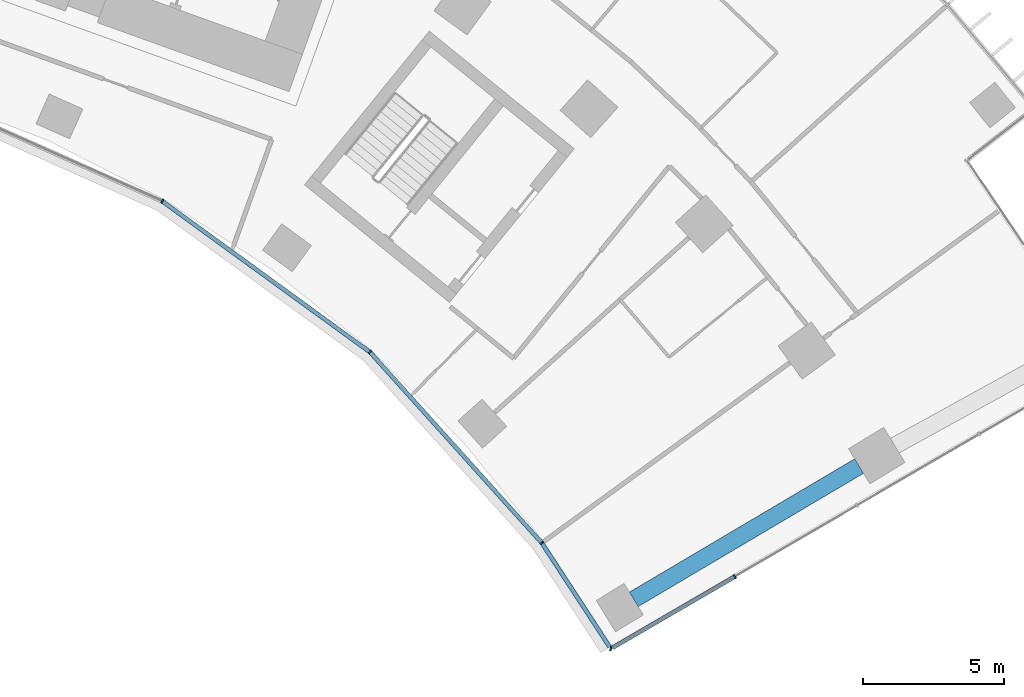
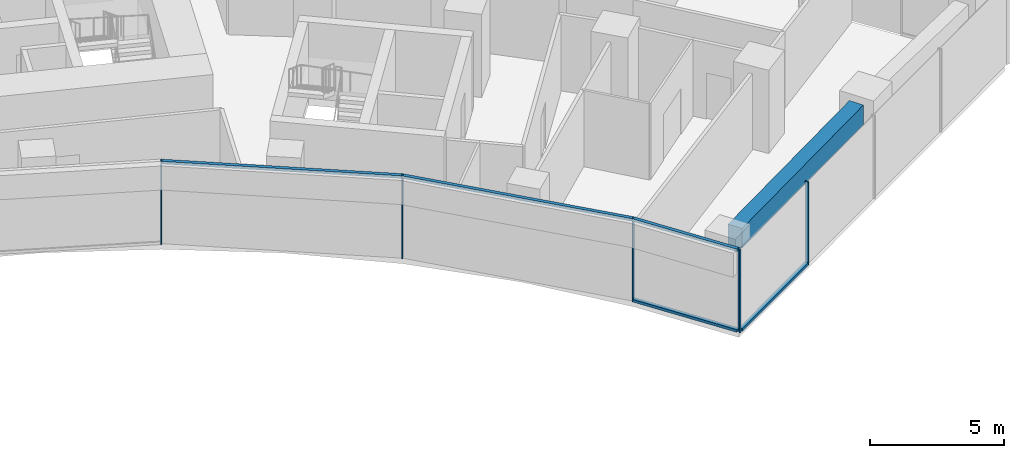
# One storey, part 9 of 23: 10 members, 1 beam, 2 elements without a shape of their own.
"""IFC4 building model written with IfcOpenShell, lengths in metres."""

from ifc_helpers import new_model, si_unit, direction, frame, origin, origin_2d, place, context, subcontext, project, spatial, rectangle, extrude, material, layer, layer_set, material_profile, profile_set, type_object, element, aggregate, save


model = new_model("IFC4")

# Units and contexts
model_context = context("Model", 3, precision=1e-05, world=origin(), true_north=direction((0.0, 1.0)))
body_context = subcontext(model_context, "Body", "Model", "MODEL_VIEW")
ifc_project = project(units=[si_unit("LENGTHUNIT", "METRE"), si_unit("AREAUNIT", "SQUARE_METRE"), si_unit("VOLUMEUNIT", "CUBIC_METRE"), si_unit("PLANEANGLEUNIT", "RADIAN"), si_unit("MASSUNIT", "GRAM", prefix="KILO")], contexts=[model_context])

# Site, building, storey
site_placement = place(None, origin())
site = spatial("IfcSite", under=ifc_project, at=site_placement, CompositionType="ELEMENT")
building_placement = place(site_placement, origin())
building = spatial("IfcBuilding", under=site, at=building_placement, Name="Stone Belt Terrace Tower", CompositionType="ELEMENT")
storey_placement = place(building_placement, frame((0.0, 0.0, 98.39990234375)))
storey = spatial("IfcBuildingStorey", under=building, at=storey_placement, Name="L23", CompositionType="ELEMENT", Elevation=98.39990234375)

# Curtain wall, members
ifc_material_1 = material(Name="Aluminium 6063-T6 anodised frame", Category="aluminium")
ifc_layer_1 = layer(ifc_material_1, 0.14990234375)
ifc_layer_set_1 = layer_set([ifc_layer_1], Name="CW-B unitised concave-face curtain wall")
curtain_wall_type_1 = type_object("IfcCurtainWallType", Name="CW-B unitised concave-face curtain wall", PredefinedType="NOTDEFINED", material=ifc_layer_set_1)
curtain_wall_1_placement = place(storey_placement, origin())
curtain_wall_1 = element("IfcCurtainWall", 1, at=curtain_wall_1_placement, inside=storey, type_object=curtain_wall_type_1, Name="CW-B concave face L23", PredefinedType="NOTDEFINED")
ifc_material_profile_1 = material_profile(ifc_material_1, rectangle(XDim=0.14990234375, YDim=0.050048828125, at=origin_2d()), Name="Aluminium 6063-T6 50x150")
ifc_profile_set_1 = profile_set([ifc_material_profile_1], Name="Aluminium 6063-T6 anodised frame")
member_type_1 = type_object("IfcMemberType", Name="CW-B mullion 50 x 150", PredefinedType="MULLION", material=ifc_profile_set_1)
member_1_placement = place(storey_placement, frame((21.71240234375, 37.606689453125, 0.0), z_axis=(0.0, 0.0, 1.0), x_axis=(0.5, 0.866025403784, 0.0)))
member_1 = element("IfcMember", 2, at=member_1_placement, type_object=member_type_1, Name="CW-B mullion 8", PredefinedType="MULLION", context=body_context, shape_type="SweptSolid", body=[
    extrude(rectangle(XDim=0.14990234375, YDim=0.050048828125, at=origin_2d()), origin(), (0.0, 0.0, 1.0), 3.800048828125),
])
member_2_placement = place(storey_placement, frame((29.056640625, 32.270751953125, 0.0), z_axis=(0.0, 0.0, 1.0), x_axis=(0.669130606359, 0.743144825477, 0.0)))
member_2 = element("IfcMember", 3, at=member_2_placement, type_object=member_type_1, Name="CW-B mullion 9", PredefinedType="MULLION", context=body_context, shape_type="SweptSolid", body=[
    extrude(rectangle(XDim=0.14990234375, YDim=0.050048828125, at=origin_2d()), origin(), (0.0, 0.0, 1.0), 3.800048828125),
])
member_3_placement = place(storey_placement, frame((35.132568359375, 25.522705078125, 0.0), z_axis=(0.0, 0.0, 1.0), x_axis=(0.792811047542, 0.609467507662, 0.0)))
member_3 = element("IfcMember", 4, at=member_3_placement, type_object=member_type_1, Name="CW-B mullion 10", PredefinedType="MULLION", context=body_context, shape_type="SweptSolid", body=[
    extrude(rectangle(XDim=0.14990234375, YDim=0.050048828125, at=origin_2d()), origin(), (0.0, 0.0, 1.0), 3.800048828125),
])
ifc_material_profile_2 = material_profile(ifc_material_1, rectangle(XDim=0.14990234375, YDim=0.1201171875, at=origin_2d()), Name="Aluminium 6063-T6 150x120")
ifc_profile_set_2 = profile_set([ifc_material_profile_2], Name="Aluminium 6063-T6 anodised frame")
member_type_2 = type_object("IfcMemberType", Name="CW-B transom 120 x 150", PredefinedType="USERDEFINED", material=ifc_profile_set_2)
member_4_placement = place(storey_placement, frame((21.73876953125, 37.587646484375, 3.739990234375), z_axis=(0.809015952818, -0.58778668587, 0.0), x_axis=(0.58778668587, 0.809015952818, 0.0)))
member_4 = element("IfcMember", 5, at=member_4_placement, type_object=member_type_2, Name="CW-B transom 8.1", ObjectType="TRANSOM", PredefinedType="USERDEFINED", context=body_context, shape_type="SweptSolid", body=[
    extrude(rectangle(XDim=0.14990234375, YDim=0.1201171875, at=origin_2d()), origin(), (0.0, 0.0, 1.0), 9.0126953125),
])
member_5_placement = place(storey_placement, frame((29.07861328125, 32.246337890625, 3.739990234375), z_axis=(0.669138241486, -0.743137950707, 0.0), x_axis=(0.743137950707, 0.669138241486, 0.0)))
member_5 = element("IfcMember", 6, at=member_5_placement, type_object=member_type_2, Name="CW-B transom 9.1", ObjectType="TRANSOM", PredefinedType="USERDEFINED", context=body_context, shape_type="SweptSolid", body=[
    extrude(rectangle(XDim=0.14990234375, YDim=0.1201171875, at=origin_2d()), origin(), (0.0, 0.0, 1.0), 9.016845703125),
])
member_6_placement = place(storey_placement, frame((35.1494140625, 25.4970703125, 0.06005859375), z_axis=(0.546136356084, -0.83769629375, 0.0), x_axis=(0.83769629375, 0.546136356084, 0.0)))
member_6 = element("IfcMember", 7, at=member_6_placement, type_object=member_type_2, Name="CW-B transom 10.1", ObjectType="TRANSOM", PredefinedType="USERDEFINED", context=body_context, shape_type="SweptSolid", body=[
    extrude(rectangle(XDim=0.14990234375, YDim=0.1201171875, at=origin_2d()), origin(), (0.0, 0.0, 1.0), 4.363525390625),
])
member_7_placement = place(storey_placement, frame((35.1494140625, 25.4970703125, 3.739990234375), z_axis=(0.546136356084, -0.83769629375, 0.0), x_axis=(0.83769629375, 0.546136356084, 0.0)))
member_7 = element("IfcMember", 8, at=member_7_placement, type_object=member_type_2, Name="CW-B transom 10.2", ObjectType="TRANSOM", PredefinedType="USERDEFINED", context=body_context, shape_type="SweptSolid", body=[
    extrude(rectangle(XDim=0.14990234375, YDim=0.1201171875, at=origin_2d()), origin(), (0.0, 0.0, 1.0), 4.363525390625),
])
aggregate(curtain_wall_1, [member_1, member_2, member_3, member_4, member_5, member_6, member_7])

ifc_layer_2 = layer(ifc_material_1, 0.14990234375)
ifc_layer_set_2 = layer_set([ifc_layer_2], Name="CW-C stick curtain wall, horn ends and notches")
curtain_wall_type_2 = type_object("IfcCurtainWallType", Name="CW-C stick curtain wall, horn ends and notches", PredefinedType="NOTDEFINED", material=ifc_layer_set_2)
curtain_wall_2_placement = place(storey_placement, origin())
curtain_wall_2 = element("IfcCurtainWall", 9, at=curtain_wall_2_placement, inside=storey, type_object=curtain_wall_type_2, Name="CW-C end face L23", PredefinedType="NOTDEFINED")
ifc_material_profile_3 = material_profile(ifc_material_1, rectangle(XDim=0.14990234375, YDim=0.06005859375, at=origin_2d()), Name="Aluminium 6063-T6 60x150")
ifc_profile_set_3 = profile_set([ifc_material_profile_3], Name="Aluminium 6063-T6 anodised frame")
member_type_3 = type_object("IfcMemberType", Name="CW-C mullion 60 x 150", PredefinedType="MULLION", material=ifc_profile_set_3)
member_8_placement = place(storey_placement, frame((37.570556640625, 21.783447265625, 0.0), z_axis=(0.0, 0.0, 1.0), x_axis=(0.230847440535, 0.972989958426, 0.0)))
member_8 = element("IfcMember", 10, at=member_8_placement, type_object=member_type_3, Name="CW-C mullion 1", PredefinedType="MULLION", context=body_context, shape_type="SweptSolid", body=[
    extrude(rectangle(XDim=0.14990234375, YDim=0.06005859375, at=origin_2d()), origin(), (0.0, 0.0, 1.0), 3.800048828125),
])
member_9_placement = place(storey_placement, frame((41.953369140625, 24.334716796875, 0.0), z_axis=(0.0, 0.0, 1.0), x_axis=(-0.503080901861, 0.864239322284, 0.0)))
member_9 = element("IfcMember", 11, at=member_9_placement, type_object=member_type_3, Name="CW-C mullion 2", PredefinedType="MULLION", context=body_context, shape_type="SweptSolid", body=[
    extrude(rectangle(XDim=0.14990234375, YDim=0.06005859375, at=origin_2d()), origin(), (0.0, 0.0, 1.0), 3.800048828125),
])
ifc_material_profile_4 = material_profile(ifc_material_1, rectangle(XDim=0.14990234375, YDim=0.1201171875, at=origin_2d()), Name="Aluminium 6063-T6 150x120")
ifc_profile_set_4 = profile_set([ifc_material_profile_4], Name="Aluminium 6063-T6 anodised frame")
member_type_4 = type_object("IfcMemberType", Name="CW-C transom 120 x 150", PredefinedType="USERDEFINED", material=ifc_profile_set_4)
member_10_placement = place(storey_placement, frame((37.634033203125, 21.8203125, 0.06005859375), z_axis=(0.864238402529, 0.5030824819, 0.0), x_axis=(-0.5030824819, 0.864238402529, 0.0)))
member_10 = element("IfcMember", 12, at=member_10_placement, type_object=member_type_4, Name="CW-C transom 1.1", ObjectType="TRANSOM", PredefinedType="USERDEFINED", context=body_context, shape_type="SweptSolid", body=[
    extrude(rectangle(XDim=0.14990234375, YDim=0.1201171875, at=origin_2d()), origin(), (0.0, 0.0, 1.0), 4.968017578125),
])
aggregate(curtain_wall_2, [member_8, member_9, member_10])

# Beam
ifc_material_2 = material(Name="Concrete B60", Category="concrete")
ifc_material_profile_5 = material_profile(ifc_material_2, rectangle(XDim=0.60009765625, YDim=0.89990234375, at=origin_2d()), Name="RC 600x900")
ifc_profile_set_5 = profile_set([ifc_material_profile_5], Name="Concrete B60")
beam_type = type_object("IfcBeamType", Name="Edge beam RC 600x900 B60", PredefinedType="SPANDREL", material=ifc_profile_set_5)
beam_placement = place(storey_placement, frame((38.3828125, 23.52783203125, 3.030029296875), z_axis=(0.860646513691, 0.509202885372, 0.0), x_axis=(-0.509202885372, 0.860646513691, 0.0)))
element("IfcBeam", 13, at=beam_placement, inside=storey, type_object=beam_type, Name="Edge beam L23 B P to Q", PredefinedType="SPANDREL", context=body_context, shape_type="SweptSolid", body=[
    extrude(rectangle(XDim=0.60009765625, YDim=0.89990234375, at=origin_2d()), origin(), (0.0, 0.0, 1.0), 9.255859375),
])

save(model, "model.ifc")
